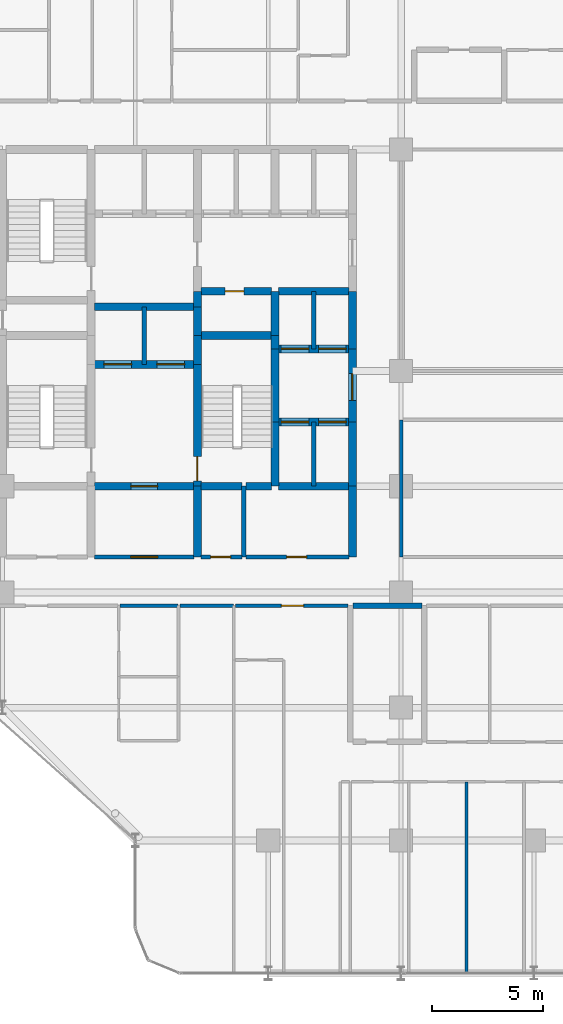
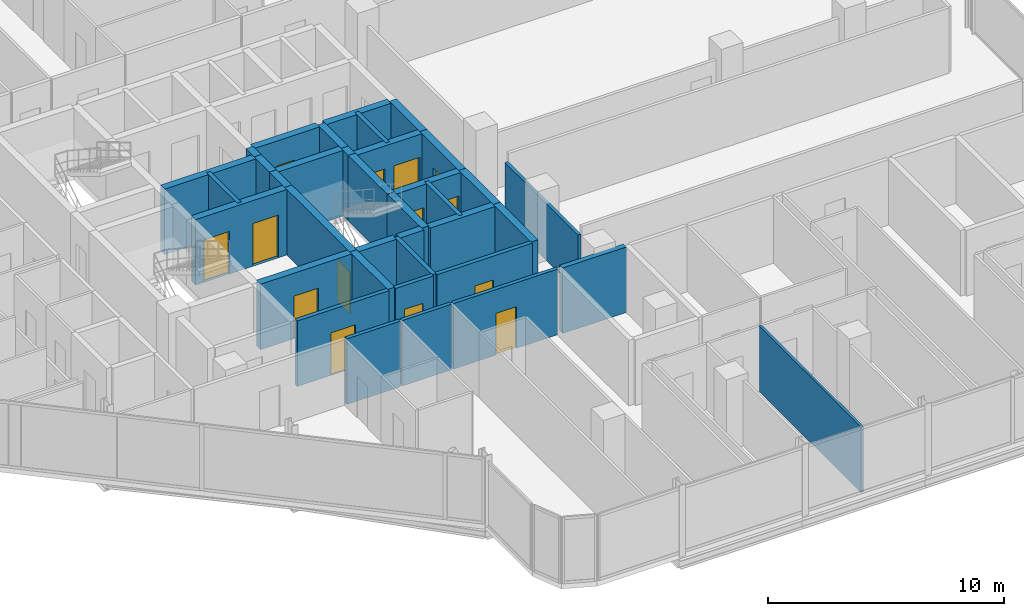
# One storey, part 24 of 29: 37 walls, 14 doors, 14 openings.
"""IFC4 building model written with IfcOpenShell, lengths in metres."""

from ifc_helpers import new_model, si_unit, direction, frame, frame_2d, origin, place, context, subcontext, project, spatial, rectangle, extrude, material, layer, layer_set, type_object, element, fill, save


model = new_model("IFC4")

# Units and contexts
model_context = context("Model", 3, precision=1e-05, world=origin(), true_north=direction((0.0, 1.0)))
body_context = subcontext(model_context, "Body", "Model", "MODEL_VIEW")
ifc_project = project(units=[si_unit("LENGTHUNIT", "METRE"), si_unit("AREAUNIT", "SQUARE_METRE"), si_unit("VOLUMEUNIT", "CUBIC_METRE"), si_unit("PLANEANGLEUNIT", "RADIAN"), si_unit("MASSUNIT", "GRAM", prefix="KILO")], contexts=[model_context])

# Site, building, storey
site_placement = place(None, origin())
site = spatial("IfcSite", under=ifc_project, at=site_placement, CompositionType="ELEMENT")
building_placement = place(site_placement, origin())
building = spatial("IfcBuilding", under=site, at=building_placement, Name="Keshet Zoharim Tower", CompositionType="ELEMENT")
storey_placement = place(building_placement, frame((0.0, 0.0, 98.300048828125)))
storey = spatial("IfcBuildingStorey", under=building, at=storey_placement, Name="L23", CompositionType="ELEMENT", Elevation=98.300048828125)

# Walls
ifc_material_1 = material(Name="Gypsum Plasterboard", Category="gypsum")
ifc_layer_1 = layer(ifc_material_1, 0.14990234375)
ifc_layer_set_1 = layer_set([ifc_layer_1], Name="Gypsum Plasterboard")
wall_type_1 = type_object("IfcWallType", Name="WL-CLIN-150", PredefinedType="STANDARD", material=ifc_layer_set_1)
wall_1_placement = place(storey_placement, frame((33.0, 19.510009765625, 0.0), z_axis=(0.0, 0.0, 1.0), x_axis=(0.0, 1.0, 0.0)))
element("IfcWall", 1, at=wall_1_placement, inside=storey, type_object=wall_type_1, Name="L23 Interior Wall 069", PredefinedType="STANDARD", context=body_context, shape_type="SweptSolid", body=[
    extrude(rectangle(XDim=6.179931640625, YDim=0.14990234375, at=frame_2d((3.08984375, 0.0))), origin(), (0.0, 0.0, 1.0), 2.93505859375),
])
ifc_material_2 = material(Name="Concrete C60/75", Category="concrete")
ifc_layer_2 = layer(ifc_material_2, 0.35009765625)
ifc_layer_set_2 = layer_set([ifc_layer_2], Name="Concrete C60/75")
wall_type_2 = type_object("IfcWallType", Name="WL-CORE-350", PredefinedType="SHEAR", material=ifc_layer_set_2)
wall_2_placement = place(storey_placement, frame((23.800048828125, 19.5, 0.0), z_axis=(0.0, 0.0, 1.0), x_axis=(0.0, 1.0, 0.0)))
element("IfcWall", 2, at=wall_2_placement, inside=storey, type_object=wall_type_2, Name="L23 Core Shear Wall 036", PredefinedType="SHEAR", context=body_context, shape_type="SweptSolid", body=[
    extrude(rectangle(XDim=3.199951171875, YDim=0.35009765625, at=frame_2d((1.60009765625, 0.0))), origin(), (0.0, 0.0, 1.0), 3.385009765625),
])

# Wall, opening, door
wall_3_placement = place(storey_placement, frame((23.800048828125, 22.699951171875, 0.0), z_axis=(0.0, 0.0, 1.0), x_axis=(0.0, 1.0, 0.0)))
wall_3 = element("IfcWall", 3, at=wall_3_placement, inside=storey, type_object=wall_type_2, Name="L23 Core Shear Wall 037", PredefinedType="SHEAR", context=body_context, shape_type="SweptSolid", body=[
    extrude(rectangle(XDim=5.5, YDim=0.35009765625, at=frame_2d((2.75, 0.0))), origin(), (0.0, 0.0, 1.0), 3.385009765625),
])
opening_1_placement = place(wall_3_placement, frame((0.235107421875, 0.0, 0.0)))
opening_1 = element("IfcOpeningElement", 4, at=opening_1_placement, cuts=wall_3, Name="Opening D-F611", PredefinedType="OPENING", context=body_context, shape_type="SweptSolid", body=[
    extrude(rectangle(XDim=1.10009765625, YDim=2.14990234375, at=frame_2d((0.550048828125, 1.074951171875))), frame((0.0, 0.18505859375, 0.0), z_axis=(0.0, -1.0, 0.0), x_axis=(1.0, 0.0, 0.0)), (0.0, 0.0, 1.0), 0.3701171875),
])
ifc_material_3 = material(Name="Hardwood Timber", Category="wood")
door_type_1 = type_object("IfcDoorType", Name="DR-FD60-110", OperationType="NOTDEFINED", PredefinedType="DOOR", material=ifc_material_3)
door_1_placement = place(opening_1_placement, frame((1.10009765625, 0.0, 0.0), z_axis=(0.0, 0.0, 1.0), x_axis=(-1.0, 0.0, 0.0)))
door_1 = element("IfcDoor", 5, at=door_1_placement, inside=storey, type_object=door_type_1, Name="L23 Exit Stair ST-03 Fire Door", OperationType="SINGLE_SWING_RIGHT", OverallHeight=2.14990234375, OverallWidth=1.10009765625, PredefinedType="DOOR", context=body_context, shape_type="SweptSolid", body=[
    extrude(rectangle(XDim=1.10009765625, YDim=2.14990234375, at=frame_2d((0.550048828125, 1.074951171875))), frame((0.0, 0.02490234375, 0.0), z_axis=(0.0, -1.0, 0.0), x_axis=(1.0, 0.0, 0.0)), (0.0, 0.0, 1.0), 0.050048828125),
])
fill(opening_1, door_1)

# Walls
for number, where, z_axis, x_axis, name in (
    (6, (23.800048828125, 28.199951171875, 0.0), (0.0, 0.0, 1.0), (0.0, 1.0, 0.0), "L23 Core Shear Wall 038"),
    (7, (23.800048828125, 29.5, 0.0), (0.0, 0.0, 1.0), (0.0, 1.0, 0.0), "L23 Core Shear Wall 039"),
):
    element("IfcWall", number, at=place(storey_placement, frame(where, z_axis=z_axis, x_axis=x_axis)), inside=storey, type_object=wall_type_2, Name=name, PredefinedType="SHEAR", context=body_context, shape_type="SweptSolid", body=[
        extrude(rectangle(XDim=1.300048828125, YDim=0.35009765625, at=frame_2d((0.64990234375, 0.0))), origin(), (0.0, 0.0, 1.0), 3.385009765625),
    ])
wall_4_placement = place(storey_placement, frame((23.800048828125, 30.800048828125, 0.0), z_axis=(0.0, 0.0, 1.0), x_axis=(0.0, 1.0, 0.0)))
element("IfcWall", 8, at=wall_4_placement, inside=storey, type_object=wall_type_2, Name="L23 Core Shear Wall 040", PredefinedType="SHEAR", context=body_context, shape_type="SweptSolid", body=[
    extrude(rectangle(XDim=0.699951171875, YDim=0.35009765625, at=frame_2d((0.35009765625, 0.0))), origin(), (0.0, 0.0, 1.0), 3.385009765625),
])
wall_5_placement = place(storey_placement, frame((27.300048828125, 22.699951171875, 0.0), z_axis=(0.0, 0.0, 1.0), x_axis=(0.0, 1.0, 0.0)))
element("IfcWall", 9, at=wall_5_placement, inside=storey, type_object=wall_type_2, Name="L23 Core Shear Wall 047", PredefinedType="SHEAR", context=body_context, shape_type="SweptSolid", body=[
    extrude(rectangle(XDim=2.900146484375, YDim=0.35009765625, at=frame_2d((1.4501953125, 0.0))), origin(), (0.0, 0.0, 1.0), 3.385009765625),
])
wall_6_placement = place(storey_placement, frame((27.300048828125, 25.60009765625, 0.0), z_axis=(0.0, 0.0, 1.0), x_axis=(0.0, 1.0, 0.0)))
element("IfcWall", 10, at=wall_6_placement, inside=storey, type_object=wall_type_2, Name="L23 Core Shear Wall 048", PredefinedType="SHEAR", context=body_context, shape_type="SweptSolid", body=[
    extrude(rectangle(XDim=3.2998046875, YDim=0.35009765625, at=frame_2d((1.64990234375, 0.0))), origin(), (0.0, 0.0, 1.0), 3.385009765625),
])
wall_7_placement = place(storey_placement, frame((27.300048828125, 28.89990234375, 0.0), z_axis=(0.0, 0.0, 1.0), x_axis=(0.0, 1.0, 0.0)))
element("IfcWall", 11, at=wall_7_placement, inside=storey, type_object=wall_type_2, Name="L23 Core Shear Wall 049", PredefinedType="SHEAR", context=body_context, shape_type="SweptSolid", body=[
    extrude(rectangle(XDim=0.60009765625, YDim=0.35009765625, at=frame_2d((0.300048828125, 0.0))), origin(), (0.0, 0.0, 1.0), 3.385009765625),
])
wall_8_placement = place(storey_placement, frame((27.300048828125, 29.5, 0.0), z_axis=(0.0, 0.0, 1.0), x_axis=(0.0, 1.0, 0.0)))
element("IfcWall", 12, at=wall_8_placement, inside=storey, type_object=wall_type_2, Name="L23 Core Shear Wall 050", PredefinedType="SHEAR", context=body_context, shape_type="SweptSolid", body=[
    extrude(rectangle(XDim=2.0, YDim=0.35009765625, at=frame_2d((1.0, 0.0))), origin(), (0.0, 0.0, 1.0), 3.385009765625),
])
wall_9_placement = place(storey_placement, frame((30.800048828125, 19.5, 0.0), z_axis=(0.0, 0.0, 1.0), x_axis=(0.0, 1.0, 0.0)))
element("IfcWall", 13, at=wall_9_placement, inside=storey, type_object=wall_type_2, Name="L23 Core Shear Wall 063", PredefinedType="SHEAR", context=body_context, shape_type="SweptSolid", body=[
    extrude(rectangle(XDim=3.199951171875, YDim=0.35009765625, at=frame_2d((1.60009765625, 0.0))), origin(), (0.0, 0.0, 1.0), 3.385009765625),
])
wall_10_placement = place(storey_placement, frame((30.800048828125, 22.699951171875, 0.0), z_axis=(0.0, 0.0, 1.0), x_axis=(0.0, 1.0, 0.0)))
element("IfcWall", 14, at=wall_10_placement, inside=storey, type_object=wall_type_2, Name="L23 Core Shear Wall 064", PredefinedType="SHEAR", context=body_context, shape_type="SweptSolid", body=[
    extrude(rectangle(XDim=2.900146484375, YDim=0.35009765625, at=frame_2d((1.4501953125, 0.0))), origin(), (0.0, 0.0, 1.0), 3.385009765625),
])

# Wall, opening, door
wall_11_placement = place(storey_placement, frame((30.800048828125, 25.60009765625, 0.0), z_axis=(0.0, 0.0, 1.0), x_axis=(0.0, 1.0, 0.0)))
wall_11 = element("IfcWall", 15, at=wall_11_placement, inside=storey, type_object=wall_type_2, Name="L23 Core Shear Wall 065", PredefinedType="SHEAR", context=body_context, shape_type="SweptSolid", body=[
    extrude(rectangle(XDim=3.2998046875, YDim=0.35009765625, at=frame_2d((1.64990234375, 0.0))), origin(), (0.0, 0.0, 1.0), 3.385009765625),
])
opening_2_placement = place(wall_11_placement, frame((0.97802734375, 0.0, 0.0)))
opening_2 = element("IfcOpeningElement", 16, at=opening_2_placement, cuts=wall_11, Name="Opening D-F612", PredefinedType="OPENING", context=body_context, shape_type="SweptSolid", body=[
    extrude(rectangle(XDim=1.199951171875, YDim=2.199951171875, at=frame_2d((0.60009765625, 1.10009765625))), frame((0.0, 0.18505859375, 0.0), z_axis=(0.0, -1.0, 0.0), x_axis=(1.0, 0.0, 0.0)), (0.0, 0.0, 1.0), 0.3701171875),
])
door_type_2 = type_object("IfcDoorType", Name="DR-FD60-120", OperationType="NOTDEFINED", PredefinedType="DOOR", material=ifc_material_3)
door_2_placement = place(opening_2_placement, origin())
door_2 = element("IfcDoor", 17, at=door_2_placement, inside=storey, type_object=door_type_2, Name="L23 East Lift Lobby Fire Door", OperationType="SINGLE_SWING_RIGHT", OverallHeight=2.199951171875, OverallWidth=1.199951171875, PredefinedType="DOOR", context=body_context, shape_type="SweptSolid", body=[
    extrude(rectangle(XDim=1.199951171875, YDim=2.199951171875, at=frame_2d((0.60009765625, 1.10009765625))), frame((0.0, 0.02490234375, 0.0), z_axis=(0.0, -1.0, 0.0), x_axis=(1.0, 0.0, 0.0)), (0.0, 0.0, 1.0), 0.050048828125),
])
fill(opening_2, door_2)

# Wall
wall_12_placement = place(storey_placement, frame((30.800048828125, 28.89990234375, 0.0), z_axis=(0.0, 0.0, 1.0), x_axis=(0.0, 1.0, 0.0)))
element("IfcWall", 18, at=wall_12_placement, inside=storey, type_object=wall_type_2, Name="L23 Core Shear Wall 066", PredefinedType="SHEAR", context=body_context, shape_type="SweptSolid", body=[
    extrude(rectangle(XDim=2.60009765625, YDim=0.35009765625, at=frame_2d((1.300048828125, 0.0))), origin(), (0.0, 0.0, 1.0), 3.385009765625),
])

# Wall, opening, door
wall_13_placement = place(storey_placement, frame((19.159912109375, 22.699951171875, 0.0), z_axis=(0.0, 0.0, 1.0), x_axis=(1.0, 0.0, 0.0)))
wall_13 = element("IfcWall", 19, at=wall_13_placement, inside=storey, type_object=wall_type_2, Name="L23 Core Shear Wall 151", PredefinedType="SHEAR", context=body_context, shape_type="SweptSolid", body=[
    extrude(rectangle(XDim=4.47998046875, YDim=0.35009765625, at=frame_2d((2.239990234375, 0.0))), origin(), (0.0, 0.0, 1.0), 3.385009765625),
])
opening_3_placement = place(wall_13_placement, frame((1.639892578125, 0.0, 0.0)))
opening_3 = element("IfcOpeningElement", 20, at=opening_3_placement, cuts=wall_13, Name="Opening D-F612", PredefinedType="OPENING", context=body_context, shape_type="SweptSolid", body=[
    extrude(rectangle(XDim=1.199951171875, YDim=2.199951171875, at=frame_2d((0.60009765625, 1.10009765625))), frame((0.0, 0.18505859375, 0.0), z_axis=(0.0, -1.0, 0.0), x_axis=(1.0, 0.0, 0.0)), (0.0, 0.0, 1.0), 0.3701171875),
])
door_3_placement = place(opening_3_placement, origin())
door_3 = element("IfcDoor", 21, at=door_3_placement, inside=storey, type_object=door_type_2, Name="L23 South Core Lobby Fire Door", OperationType="SINGLE_SWING_LEFT", OverallHeight=2.199951171875, OverallWidth=1.199951171875, PredefinedType="DOOR", context=body_context, shape_type="SweptSolid", body=[
    extrude(rectangle(XDim=1.199951171875, YDim=2.199951171875, at=frame_2d((0.60009765625, 1.10009765625))), frame((0.0, 0.02490234375, 0.0), z_axis=(0.0, -1.0, 0.0), x_axis=(1.0, 0.0, 0.0)), (0.0, 0.0, 1.0), 0.050048828125),
])
fill(opening_3, door_3)

# Walls
wall_14_placement = place(storey_placement, frame((23.9599609375, 22.699951171875, 0.0), z_axis=(0.0, 0.0, 1.0), x_axis=(1.0, 0.0, 0.0)))
element("IfcWall", 22, at=wall_14_placement, inside=storey, type_object=wall_type_2, Name="L23 Core Shear Wall 152", PredefinedType="SHEAR", context=body_context, shape_type="SweptSolid", body=[
    extrude(rectangle(XDim=1.85498046875, YDim=0.35009765625, at=frame_2d((0.927490234375, 0.0))), origin(), (0.0, 0.0, 1.0), 3.385009765625),
])
wall_15_placement = place(storey_placement, frame((25.985107421875, 22.699951171875, 0.0), z_axis=(0.0, 0.0, 1.0), x_axis=(1.0, 0.0, 0.0)))
element("IfcWall", 23, at=wall_15_placement, inside=storey, type_object=wall_type_2, Name="L23 Core Shear Wall 153", PredefinedType="SHEAR", context=body_context, shape_type="SweptSolid", body=[
    extrude(rectangle(XDim=1.15478515625, YDim=0.35009765625, at=frame_2d((0.577392578125, 0.0))), origin(), (0.0, 0.0, 1.0), 3.385009765625),
])
wall_16_placement = place(storey_placement, frame((27.4599609375, 22.699951171875, 0.0), z_axis=(0.0, 0.0, 1.0), x_axis=(1.0, 0.0, 0.0)))
element("IfcWall", 24, at=wall_16_placement, inside=storey, type_object=wall_type_2, Name="L23 Core Shear Wall 154", PredefinedType="SHEAR", context=body_context, shape_type="SweptSolid", body=[
    extrude(rectangle(XDim=3.179931640625, YDim=0.35009765625, at=frame_2d((1.58984375, 0.0))), origin(), (0.0, 0.0, 1.0), 3.385009765625),
])

# Wall, openings, doors
wall_17_placement = place(storey_placement, frame((27.4599609375, 25.60009765625, 0.0), z_axis=(0.0, 0.0, 1.0), x_axis=(1.0, 0.0, 0.0)))
wall_17 = element("IfcWall", 25, at=wall_17_placement, inside=storey, type_object=wall_type_2, Name="L23 Core Shear Wall 157", PredefinedType="SHEAR", context=body_context, shape_type="SweptSolid", body=[
    extrude(rectangle(XDim=3.179931640625, YDim=0.35009765625, at=frame_2d((1.58984375, 0.0))), origin(), (0.0, 0.0, 1.0), 3.385009765625),
])
opening_4_placement = place(wall_17_placement, frame((0.1201171875, 0.0, 0.0)))
opening_4 = element("IfcOpeningElement", 26, at=opening_4_placement, cuts=wall_17, Name="Opening LD-01", PredefinedType="OPENING", context=body_context, shape_type="SweptSolid", body=[
    extrude(rectangle(XDim=1.25, YDim=2.199951171875, at=frame_2d((0.625, 1.10009765625))), frame((0.0, 0.18505859375, 0.0), z_axis=(0.0, -1.0, 0.0), x_axis=(1.0, 0.0, 0.0)), (0.0, 0.0, 1.0), 0.3701171875),
])
opening_5_placement = place(wall_17_placement, frame((1.81005859375, 0.0, 0.0)))
opening_5 = element("IfcOpeningElement", 27, at=opening_5_placement, cuts=wall_17, Name="Opening LD-01", PredefinedType="OPENING", context=body_context, shape_type="SweptSolid", body=[
    extrude(rectangle(XDim=1.25, YDim=2.199951171875, at=frame_2d((0.625, 1.10009765625))), frame((0.0, 0.18505859375, 0.0), z_axis=(0.0, -1.0, 0.0), x_axis=(1.0, 0.0, 0.0)), (0.0, 0.0, 1.0), 0.3701171875),
])
ifc_material_4 = material(Name="Steel S355", Category="steel")
door_type_3 = type_object("IfcDoorType", Name="DR-LD01-125", OperationType="DOUBLE_DOOR_SLIDING", PredefinedType="DOOR", material=ifc_material_4)
door_4_placement = place(opening_4_placement, origin())
door_4 = element("IfcDoor", 28, at=door_4_placement, inside=storey, type_object=door_type_3, Name="L23 Passenger Lift Landing Door LF-07", OperationType="DOUBLE_DOOR_SLIDING", OverallHeight=2.199951171875, OverallWidth=1.25, PredefinedType="DOOR", context=body_context, shape_type="SweptSolid", body=[
    extrude(rectangle(XDim=1.25, YDim=2.199951171875, at=frame_2d((0.625, 1.10009765625))), frame((0.0, 0.02490234375, 0.0), z_axis=(0.0, -1.0, 0.0), x_axis=(1.0, 0.0, 0.0)), (0.0, 0.0, 1.0), 0.050048828125),
])
fill(opening_4, door_4)
door_5_placement = place(opening_5_placement, origin())
door_5 = element("IfcDoor", 29, at=door_5_placement, inside=storey, type_object=door_type_3, Name="L23 Passenger Lift Landing Door LF-08", OperationType="DOUBLE_DOOR_SLIDING", OverallHeight=2.199951171875, OverallWidth=1.25, PredefinedType="DOOR", context=body_context, shape_type="SweptSolid", body=[
    extrude(rectangle(XDim=1.25, YDim=2.199951171875, at=frame_2d((0.625, 1.10009765625))), frame((0.0, 0.02490234375, 0.0), z_axis=(0.0, -1.0, 0.0), x_axis=(1.0, 0.0, 0.0)), (0.0, 0.0, 1.0), 0.050048828125),
])
fill(opening_5, door_5)

wall_18_placement = place(storey_placement, frame((19.159912109375, 28.199951171875, 0.0), z_axis=(0.0, 0.0, 1.0), x_axis=(1.0, 0.0, 0.0)))
wall_18 = element("IfcWall", 30, at=wall_18_placement, inside=storey, type_object=wall_type_2, Name="L23 Core Shear Wall 162", PredefinedType="SHEAR", context=body_context, shape_type="SweptSolid", body=[
    extrude(rectangle(XDim=4.47998046875, YDim=0.35009765625, at=frame_2d((2.239990234375, 0.0))), origin(), (0.0, 0.0, 1.0), 3.385009765625),
])
opening_6_placement = place(wall_18_placement, frame((0.4150390625, 0.0, 0.0)))
opening_6 = element("IfcOpeningElement", 31, at=opening_6_placement, cuts=wall_18, Name="Opening LD-01", PredefinedType="OPENING", context=body_context, shape_type="SweptSolid", body=[
    extrude(rectangle(XDim=1.25, YDim=2.199951171875, at=frame_2d((0.625, 1.10009765625))), frame((0.0, 0.18505859375, 0.0), z_axis=(0.0, -1.0, 0.0), x_axis=(1.0, 0.0, 0.0)), (0.0, 0.0, 1.0), 0.3701171875),
])
opening_7_placement = place(wall_18_placement, frame((2.81494140625, 0.0, 0.0)))
opening_7 = element("IfcOpeningElement", 32, at=opening_7_placement, cuts=wall_18, Name="Opening LD-01", PredefinedType="OPENING", context=body_context, shape_type="SweptSolid", body=[
    extrude(rectangle(XDim=1.25, YDim=2.199951171875, at=frame_2d((0.625, 1.10009765625))), frame((0.0, 0.18505859375, 0.0), z_axis=(0.0, -1.0, 0.0), x_axis=(1.0, 0.0, 0.0)), (0.0, 0.0, 1.0), 0.3701171875),
])
door_6_placement = place(opening_6_placement, origin())
door_6 = element("IfcDoor", 33, at=door_6_placement, inside=storey, type_object=door_type_3, Name="L23 Passenger Lift Landing Door LF-09", OperationType="DOUBLE_DOOR_SLIDING", OverallHeight=2.199951171875, OverallWidth=1.25, PredefinedType="DOOR", context=body_context, shape_type="SweptSolid", body=[
    extrude(rectangle(XDim=1.25, YDim=2.199951171875, at=frame_2d((0.625, 1.10009765625))), frame((0.0, 0.02490234375, 0.0), z_axis=(0.0, -1.0, 0.0), x_axis=(1.0, 0.0, 0.0)), (0.0, 0.0, 1.0), 0.050048828125),
])
fill(opening_6, door_6)
door_7_placement = place(opening_7_placement, origin())
door_7 = element("IfcDoor", 34, at=door_7_placement, inside=storey, type_object=door_type_3, Name="L23 Passenger Lift Landing Door LF-10", OperationType="DOUBLE_DOOR_SLIDING", OverallHeight=2.199951171875, OverallWidth=1.25, PredefinedType="DOOR", context=body_context, shape_type="SweptSolid", body=[
    extrude(rectangle(XDim=1.25, YDim=2.199951171875, at=frame_2d((0.625, 1.10009765625))), frame((0.0, 0.02490234375, 0.0), z_axis=(0.0, -1.0, 0.0), x_axis=(1.0, 0.0, 0.0)), (0.0, 0.0, 1.0), 0.050048828125),
])
fill(opening_7, door_7)

wall_19_placement = place(storey_placement, frame((27.4599609375, 28.89990234375, 0.0), z_axis=(0.0, 0.0, 1.0), x_axis=(1.0, 0.0, 0.0)))
wall_19 = element("IfcWall", 35, at=wall_19_placement, inside=storey, type_object=wall_type_2, Name="L23 Core Shear Wall 167", PredefinedType="SHEAR", context=body_context, shape_type="SweptSolid", body=[
    extrude(rectangle(XDim=3.179931640625, YDim=0.35009765625, at=frame_2d((1.58984375, 0.0))), origin(), (0.0, 0.0, 1.0), 3.385009765625),
])
opening_8_placement = place(wall_19_placement, frame((0.1201171875, 0.0, 0.0)))
opening_8 = element("IfcOpeningElement", 36, at=opening_8_placement, cuts=wall_19, Name="Opening LD-01", PredefinedType="OPENING", context=body_context, shape_type="SweptSolid", body=[
    extrude(rectangle(XDim=1.25, YDim=2.199951171875, at=frame_2d((0.625, 1.10009765625))), frame((0.0, 0.18505859375, 0.0), z_axis=(0.0, -1.0, 0.0), x_axis=(1.0, 0.0, 0.0)), (0.0, 0.0, 1.0), 0.3701171875),
])
opening_9_placement = place(wall_19_placement, frame((1.81005859375, 0.0, 0.0)))
opening_9 = element("IfcOpeningElement", 37, at=opening_9_placement, cuts=wall_19, Name="Opening LD-01", PredefinedType="OPENING", context=body_context, shape_type="SweptSolid", body=[
    extrude(rectangle(XDim=1.25, YDim=2.199951171875, at=frame_2d((0.625, 1.10009765625))), frame((0.0, 0.18505859375, 0.0), z_axis=(0.0, -1.0, 0.0), x_axis=(1.0, 0.0, 0.0)), (0.0, 0.0, 1.0), 0.3701171875),
])
door_8_placement = place(opening_8_placement, origin())
door_8 = element("IfcDoor", 38, at=door_8_placement, inside=storey, type_object=door_type_3, Name="L23 Passenger Lift Landing Door LF-05", OperationType="DOUBLE_DOOR_SLIDING", OverallHeight=2.199951171875, OverallWidth=1.25, PredefinedType="DOOR", context=body_context, shape_type="SweptSolid", body=[
    extrude(rectangle(XDim=1.25, YDim=2.199951171875, at=frame_2d((0.625, 1.10009765625))), frame((0.0, 0.02490234375, 0.0), z_axis=(0.0, -1.0, 0.0), x_axis=(1.0, 0.0, 0.0)), (0.0, 0.0, 1.0), 0.050048828125),
])
fill(opening_8, door_8)
door_9_placement = place(opening_9_placement, origin())
door_9 = element("IfcDoor", 39, at=door_9_placement, inside=storey, type_object=door_type_3, Name="L23 Passenger Lift Landing Door LF-06", OperationType="DOUBLE_DOOR_SLIDING", OverallHeight=2.199951171875, OverallWidth=1.25, PredefinedType="DOOR", context=body_context, shape_type="SweptSolid", body=[
    extrude(rectangle(XDim=1.25, YDim=2.199951171875, at=frame_2d((0.625, 1.10009765625))), frame((0.0, 0.02490234375, 0.0), z_axis=(0.0, -1.0, 0.0), x_axis=(1.0, 0.0, 0.0)), (0.0, 0.0, 1.0), 0.050048828125),
])
fill(opening_9, door_9)

# Walls
wall_20_placement = place(storey_placement, frame((23.9599609375, 29.5, 0.0), z_axis=(0.0, 0.0, 1.0), x_axis=(1.0, 0.0, 0.0)))
element("IfcWall", 40, at=wall_20_placement, inside=storey, type_object=wall_type_2, Name="L23 Core Shear Wall 169", PredefinedType="SHEAR", context=body_context, shape_type="SweptSolid", body=[
    extrude(rectangle(XDim=3.179931640625, YDim=0.35009765625, at=frame_2d((1.58984375, 0.0))), origin(), (0.0, 0.0, 1.0), 3.385009765625),
])
wall_21_placement = place(storey_placement, frame((19.159912109375, 30.800048828125, 0.0), z_axis=(0.0, 0.0, 1.0), x_axis=(1.0, 0.0, 0.0)))
element("IfcWall", 41, at=wall_21_placement, inside=storey, type_object=wall_type_2, Name="L23 Core Shear Wall 170", PredefinedType="SHEAR", context=body_context, shape_type="SweptSolid", body=[
    extrude(rectangle(XDim=4.47998046875, YDim=0.35009765625, at=frame_2d((2.239990234375, 0.0))), origin(), (0.0, 0.0, 1.0), 3.385009765625),
])

# Wall, opening, door
wall_22_placement = place(storey_placement, frame((23.9599609375, 31.5, 0.0), z_axis=(0.0, 0.0, 1.0), x_axis=(1.0, 0.0, 0.0)))
wall_22 = element("IfcWall", 42, at=wall_22_placement, inside=storey, type_object=wall_type_2, Name="L23 Core Shear Wall 174", PredefinedType="SHEAR", context=body_context, shape_type="SweptSolid", body=[
    extrude(rectangle(XDim=3.179931640625, YDim=0.35009765625, at=frame_2d((1.58984375, 0.0))), origin(), (0.0, 0.0, 1.0), 3.385009765625),
])
opening_10_placement = place(wall_22_placement, frame((1.093994140625, 0.0, 0.0)))
opening_10 = element("IfcOpeningElement", 43, at=opening_10_placement, cuts=wall_22, Name="Opening D-RS85", PredefinedType="OPENING", context=body_context, shape_type="SweptSolid", body=[
    extrude(rectangle(XDim=0.85009765625, YDim=2.10009765625, at=frame_2d((0.425048828125, 1.050048828125))), frame((0.0, 0.18505859375, 0.0), z_axis=(0.0, -1.0, 0.0), x_axis=(1.0, 0.0, 0.0)), (0.0, 0.0, 1.0), 0.3701171875),
])
door_type_4 = type_object("IfcDoorType", Name="DR-RIS-085", OperationType="NOTDEFINED", PredefinedType="DOOR", material=ifc_material_3)
door_10_placement = place(opening_10_placement, origin())
door_10 = element("IfcDoor", 44, at=door_10_placement, inside=storey, type_object=door_type_4, Name="L23 Telecom Riser Access Cupboard Door", OperationType="SINGLE_SWING_LEFT", OverallHeight=2.10009765625, OverallWidth=0.85009765625, PredefinedType="DOOR", context=body_context, shape_type="SweptSolid", body=[
    extrude(rectangle(XDim=0.85009765625, YDim=2.10009765625, at=frame_2d((0.425048828125, 1.050048828125))), frame((0.0, 0.02490234375, 0.0), z_axis=(0.0, -1.0, 0.0), x_axis=(1.0, 0.0, 0.0)), (0.0, 0.0, 1.0), 0.050048828125),
])
fill(opening_10, door_10)

# Walls
wall_23_placement = place(storey_placement, frame((27.4599609375, 31.5, 0.0), z_axis=(0.0, 0.0, 1.0), x_axis=(1.0, 0.0, 0.0)))
element("IfcWall", 45, at=wall_23_placement, inside=storey, type_object=wall_type_2, Name="L23 Core Shear Wall 175", PredefinedType="SHEAR", context=body_context, shape_type="SweptSolid", body=[
    extrude(rectangle(XDim=3.179931640625, YDim=0.35009765625, at=frame_2d((1.58984375, 0.0))), origin(), (0.0, 0.0, 1.0), 3.385009765625),
])
ifc_layer_3 = layer(ifc_material_1, 0.179931640625)
ifc_layer_set_3 = layer_set([ifc_layer_3], Name="Gypsum Plasterboard")
wall_type_3 = type_object("IfcWallType", Name="WL-CORR-180", PredefinedType="STANDARD", material=ifc_layer_set_3)
wall_24_placement = place(storey_placement, frame((20.31494140625, 17.300048828125, 0.0), z_axis=(0.0, 0.0, 1.0), x_axis=(1.0, 0.0, 0.0)))
element("IfcWall", 46, at=wall_24_placement, inside=storey, type_object=wall_type_3, Name="L23 Interior Wall 130", PredefinedType="STANDARD", context=body_context, shape_type="SweptSolid", body=[
    extrude(rectangle(XDim=2.610107421875, YDim=0.179931640625, at=frame_2d((1.30517578125, 0.0))), origin(), (0.0, 0.0, 1.0), 3.385009765625),
])
wall_25_placement = place(storey_placement, frame((23.014892578125, 17.300048828125, 0.0), z_axis=(0.0, 0.0, 1.0), x_axis=(1.0, 0.0, 0.0)))
element("IfcWall", 47, at=wall_25_placement, inside=storey, type_object=wall_type_3, Name="L23 Interior Wall 131", PredefinedType="STANDARD", context=body_context, shape_type="SweptSolid", body=[
    extrude(rectangle(XDim=2.41015625, YDim=0.179931640625, at=frame_2d((1.205078125, 0.0))), origin(), (0.0, 0.0, 1.0), 3.385009765625),
])

# Wall, opening, door
wall_26_placement = place(storey_placement, frame((25.514892578125, 17.300048828125, 0.0), z_axis=(0.0, 0.0, 1.0), x_axis=(1.0, 0.0, 0.0)))
wall_26 = element("IfcWall", 48, at=wall_26_placement, inside=storey, type_object=wall_type_3, Name="L23 Interior Wall 132", PredefinedType="STANDARD", context=body_context, shape_type="SweptSolid", body=[
    extrude(rectangle(XDim=5.09521484375, YDim=0.179931640625, at=frame_2d((2.547607421875, 0.0))), origin(), (0.0, 0.0, 1.0), 3.385009765625),
])
opening_11_placement = place(wall_26_placement, frame((2.080078125, 0.0, 0.0)))
opening_11 = element("IfcOpeningElement", 49, at=opening_11_placement, cuts=wall_26, Name="Opening D-F310", PredefinedType="OPENING", context=body_context, shape_type="SweptSolid", body=[
    extrude(rectangle(XDim=1.0, YDim=2.14990234375, at=frame_2d((0.5, 1.074951171875))), frame((0.0, 0.10009765625, 0.0), z_axis=(0.0, -1.0, 0.0), x_axis=(1.0, 0.0, 0.0)), (0.0, 0.0, 1.0), 0.199951171875),
])
door_type_5 = type_object("IfcDoorType", Name="DR-FD30-100", OperationType="NOTDEFINED", PredefinedType="DOOR", material=ifc_material_3)
door_11_placement = place(opening_11_placement, origin())
door_11 = element("IfcDoor", 50, at=door_11_placement, inside=storey, type_object=door_type_5, Name="Apartment 2302 Entrance Door", OperationType="SINGLE_SWING_LEFT", OverallHeight=2.14990234375, OverallWidth=1.0, PredefinedType="DOOR", context=body_context, shape_type="SweptSolid", body=[
    extrude(rectangle(XDim=1.0, YDim=2.14990234375, at=frame_2d((0.5, 1.074951171875))), frame((0.0, 0.02490234375, 0.0), z_axis=(0.0, -1.0, 0.0), x_axis=(1.0, 0.0, 0.0)), (0.0, 0.0, 1.0), 0.050048828125),
])
fill(opening_11, door_11)

# Walls
ifc_material_5 = material(Name="Concrete C50/60", Category="concrete")
ifc_layer_4 = layer(ifc_material_5, 0.199951171875)
ifc_layer_set_4 = layer_set([ifc_layer_4], Name="Concrete C50/60")
wall_type_4 = type_object("IfcWallType", Name="WL-FIRE-200", PredefinedType="STANDARD", material=ifc_layer_set_4)
wall_27_placement = place(storey_placement, frame((21.39990234375, 28.199951171875, 0.0), z_axis=(0.0, 0.0, 1.0), x_axis=(0.0, 1.0, 0.0)))
element("IfcWall", 51, at=wall_27_placement, inside=storey, type_object=wall_type_4, Name="L23 Interior Wall 029", PredefinedType="STANDARD", context=body_context, shape_type="SweptSolid", body=[
    extrude(rectangle(XDim=2.60009765625, YDim=0.199951171875, at=frame_2d((1.300048828125, 0.0))), origin(), (0.0, 0.0, 1.0), 3.385009765625),
])
wall_28_placement = place(storey_placement, frame((25.89990234375, 19.5, 0.0), z_axis=(0.0, 0.0, 1.0), x_axis=(0.0, 1.0, 0.0)))
element("IfcWall", 52, at=wall_28_placement, inside=storey, type_object=wall_type_4, Name="L23 Interior Wall 046", PredefinedType="STANDARD", context=body_context, shape_type="SweptSolid", body=[
    extrude(rectangle(XDim=3.199951171875, YDim=0.199951171875, at=frame_2d((1.60009765625, 0.0))), origin(), (0.0, 0.0, 1.0), 3.385009765625),
])
wall_29_placement = place(storey_placement, frame((29.050048828125, 22.699951171875, 0.0), z_axis=(0.0, 0.0, 1.0), x_axis=(0.0, 1.0, 0.0)))
element("IfcWall", 53, at=wall_29_placement, inside=storey, type_object=wall_type_4, Name="L23 Interior Wall 056", PredefinedType="STANDARD", context=body_context, shape_type="SweptSolid", body=[
    extrude(rectangle(XDim=2.900146484375, YDim=0.199951171875, at=frame_2d((1.4501953125, 0.0))), origin(), (0.0, 0.0, 1.0), 3.385009765625),
])
wall_30_placement = place(storey_placement, frame((29.050048828125, 28.89990234375, 0.0), z_axis=(0.0, 0.0, 1.0), x_axis=(0.0, 1.0, 0.0)))
element("IfcWall", 54, at=wall_30_placement, inside=storey, type_object=wall_type_4, Name="L23 Interior Wall 057", PredefinedType="STANDARD", context=body_context, shape_type="SweptSolid", body=[
    extrude(rectangle(XDim=2.60009765625, YDim=0.199951171875, at=frame_2d((1.300048828125, 0.0))), origin(), (0.0, 0.0, 1.0), 3.385009765625),
])

# Wall, opening, door
wall_31_placement = place(storey_placement, frame((19.159912109375, 19.5, 0.0), z_axis=(0.0, 0.0, 1.0), x_axis=(1.0, 0.0, 0.0)))
wall_31 = element("IfcWall", 55, at=wall_31_placement, inside=storey, type_object=wall_type_4, Name="L23 Interior Wall 143", PredefinedType="STANDARD", context=body_context, shape_type="SweptSolid", body=[
    extrude(rectangle(XDim=4.47998046875, YDim=0.199951171875, at=frame_2d((2.239990234375, 0.0))), origin(), (0.0, 0.0, 1.0), 3.385009765625),
])
opening_12_placement = place(wall_31_placement, frame((1.639892578125, 0.0, 0.0)))
opening_12 = element("IfcOpeningElement", 56, at=opening_12_placement, cuts=wall_31, Name="Opening D-F612", PredefinedType="OPENING", context=body_context, shape_type="SweptSolid", body=[
    extrude(rectangle(XDim=1.199951171875, YDim=2.199951171875, at=frame_2d((0.60009765625, 1.10009765625))), frame((0.0, 0.10986328125, 0.0), z_axis=(0.0, -1.0, 0.0), x_axis=(1.0, 0.0, 0.0)), (0.0, 0.0, 1.0), 0.219970703125),
])
door_12_placement = place(opening_12_placement, origin())
door_12 = element("IfcDoor", 57, at=door_12_placement, inside=storey, type_object=door_type_2, Name="L23 South Vestibule Corridor Door", OperationType="SINGLE_SWING_RIGHT", OverallHeight=2.199951171875, OverallWidth=1.199951171875, PredefinedType="DOOR", context=body_context, shape_type="SweptSolid", body=[
    extrude(rectangle(XDim=1.199951171875, YDim=2.199951171875, at=frame_2d((0.60009765625, 1.10009765625))), frame((0.0, 0.02490234375, 0.0), z_axis=(0.0, -1.0, 0.0), x_axis=(1.0, 0.0, 0.0)), (0.0, 0.0, 1.0), 0.050048828125),
])
fill(opening_12, door_12)

wall_32_placement = place(storey_placement, frame((23.9599609375, 19.5, 0.0), z_axis=(0.0, 0.0, 1.0), x_axis=(1.0, 0.0, 0.0)))
wall_32 = element("IfcWall", 58, at=wall_32_placement, inside=storey, type_object=wall_type_4, Name="L23 Interior Wall 144", PredefinedType="STANDARD", context=body_context, shape_type="SweptSolid", body=[
    extrude(rectangle(XDim=1.85498046875, YDim=0.199951171875, at=frame_2d((0.927490234375, 0.0))), origin(), (0.0, 0.0, 1.0), 3.385009765625),
])
opening_13_placement = place(wall_32_placement, frame((0.43994140625, 0.0, 0.0)))
opening_13 = element("IfcOpeningElement", 59, at=opening_13_placement, cuts=wall_32, Name="Opening D-F690", PredefinedType="OPENING", context=body_context, shape_type="SweptSolid", body=[
    extrude(rectangle(XDim=0.89990234375, YDim=2.14990234375, at=frame_2d((0.449951171875, 1.074951171875))), frame((0.0, 0.10986328125, 0.0), z_axis=(0.0, -1.0, 0.0), x_axis=(1.0, 0.0, 0.0)), (0.0, 0.0, 1.0), 0.219970703125),
])
door_type_6 = type_object("IfcDoorType", Name="DR-FD60-090", OperationType="NOTDEFINED", PredefinedType="DOOR", material=ifc_material_3)
door_13_placement = place(opening_13_placement, origin())
door_13 = element("IfcDoor", 60, at=door_13_placement, inside=storey, type_object=door_type_6, Name="L23 Cleaners Store Door", OperationType="SINGLE_SWING_LEFT", OverallHeight=2.14990234375, OverallWidth=0.89990234375, PredefinedType="DOOR", context=body_context, shape_type="SweptSolid", body=[
    extrude(rectangle(XDim=0.89990234375, YDim=2.14990234375, at=frame_2d((0.449951171875, 1.074951171875))), frame((0.0, 0.02490234375, 0.0), z_axis=(0.0, -1.0, 0.0), x_axis=(1.0, 0.0, 0.0)), (0.0, 0.0, 1.0), 0.050048828125),
])
fill(opening_13, door_13)

wall_33_placement = place(storey_placement, frame((25.985107421875, 19.5, 0.0), z_axis=(0.0, 0.0, 1.0), x_axis=(1.0, 0.0, 0.0)))
wall_33 = element("IfcWall", 61, at=wall_33_placement, inside=storey, type_object=wall_type_4, Name="L23 Interior Wall 145", PredefinedType="STANDARD", context=body_context, shape_type="SweptSolid", body=[
    extrude(rectangle(XDim=4.65478515625, YDim=0.199951171875, at=frame_2d((2.327392578125, 0.0))), origin(), (0.0, 0.0, 1.0), 3.385009765625),
])
opening_14_placement = place(wall_33_placement, frame((1.844970703125, 0.0, 0.0)))
opening_14 = element("IfcOpeningElement", 62, at=opening_14_placement, cuts=wall_33, Name="Opening D-F690", PredefinedType="OPENING", context=body_context, shape_type="SweptSolid", body=[
    extrude(rectangle(XDim=0.89990234375, YDim=2.14990234375, at=frame_2d((0.449951171875, 1.074951171875))), frame((0.0, 0.10986328125, 0.0), z_axis=(0.0, -1.0, 0.0), x_axis=(1.0, 0.0, 0.0)), (0.0, 0.0, 1.0), 0.219970703125),
])
door_14_placement = place(opening_14_placement, origin())
door_14 = element("IfcDoor", 63, at=door_14_placement, inside=storey, type_object=door_type_6, Name="L23 Meter Room Door", OperationType="SINGLE_SWING_RIGHT", OverallHeight=2.14990234375, OverallWidth=0.89990234375, PredefinedType="DOOR", context=body_context, shape_type="SweptSolid", body=[
    extrude(rectangle(XDim=0.89990234375, YDim=2.14990234375, at=frame_2d((0.449951171875, 1.074951171875))), frame((0.0, 0.02490234375, 0.0), z_axis=(0.0, -1.0, 0.0), x_axis=(1.0, 0.0, 0.0)), (0.0, 0.0, 1.0), 0.050048828125),
])
fill(opening_14, door_14)

# Walls
ifc_layer_5 = layer(ifc_material_5, 0.25)
ifc_layer_set_5 = layer_set([ifc_layer_5], Name="Concrete C50/60")
wall_type_5 = type_object("IfcWallType", Name="WL-MAMAD-250", PredefinedType="STANDARD", material=ifc_layer_set_5)
wall_34_placement = place(storey_placement, frame((30.830078125, 17.300048828125, 0.0), z_axis=(0.0, 0.0, 1.0), x_axis=(1.0, 0.0, 0.0)))
element("IfcWall", 64, at=wall_34_placement, inside=storey, type_object=wall_type_5, Name="L23 Interior Wall 133", PredefinedType="STANDARD", context=body_context, shape_type="SweptSolid", body=[
    extrude(rectangle(XDim=3.10595703125, YDim=0.25, at=frame_2d((1.552978515625, 0.0))), origin(), (0.0, 0.0, 1.0), 3.385009765625),
])
ifc_layer_6 = layer(ifc_material_1, 0.1201171875)
ifc_layer_set_6 = layer_set([ifc_layer_6], Name="Gypsum Plasterboard")
wall_type_6 = type_object("IfcWallType", Name="WL-PART-120", PredefinedType="PARTITIONING", material=ifc_layer_set_6)
wall_35_placement = place(storey_placement, frame((35.949951171875, 0.7099609375, 0.0), z_axis=(0.0, 0.0, 1.0), x_axis=(0.0, 1.0, 0.0)))
element("IfcWall", 65, at=wall_35_placement, inside=storey, type_object=wall_type_6, Name="L23 Interior Wall 076", PredefinedType="PARTITIONING", context=body_context, shape_type="SweptSolid", body=[
    extrude(rectangle(XDim=8.64013671875, YDim=0.1201171875, at=frame_2d((4.320068359375, 0.0))), origin(), (0.0, 0.0, 1.0), 3.385009765625),
])

save(model, "model.ifc")
